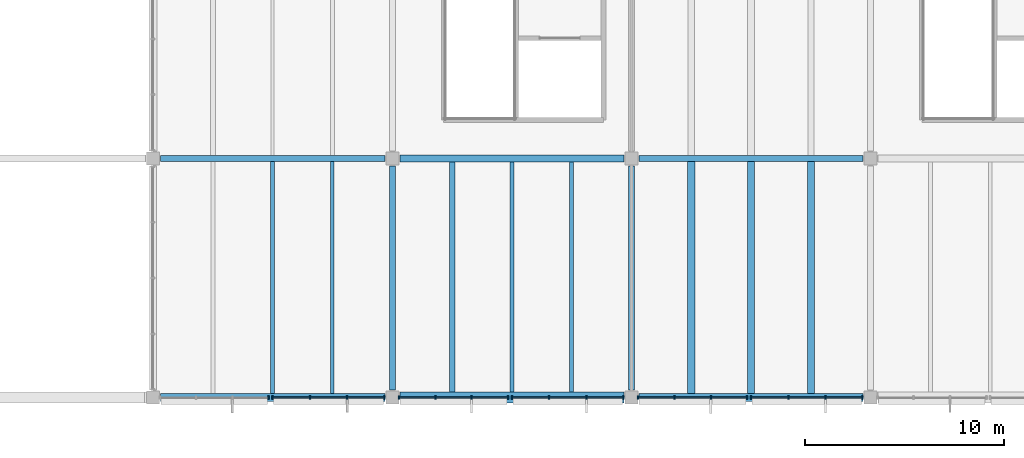
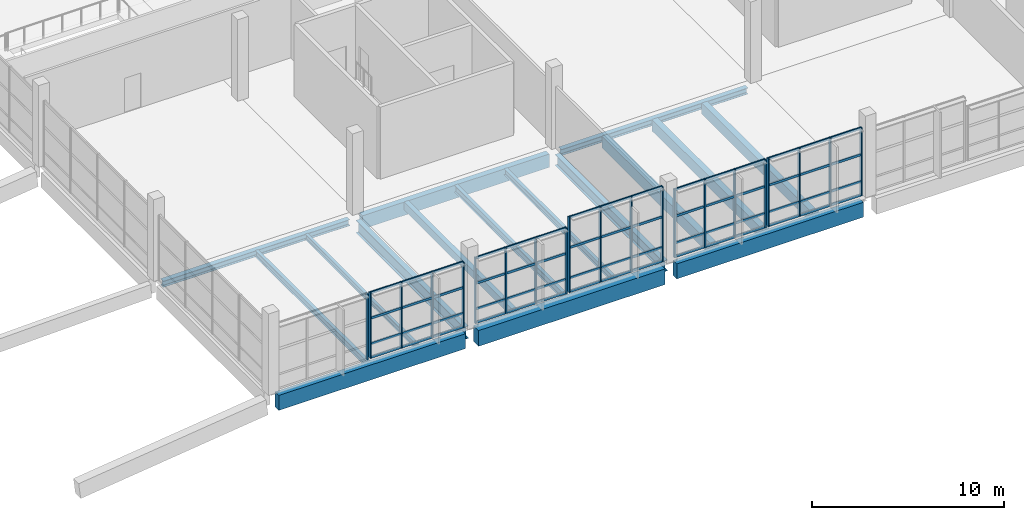
# One storey, part 21 of 112: 41 members, 16 beams, 6 elements without a shape of their own.
"""IFC4 building model written with IfcOpenShell, lengths in metres."""

import ifcopenshell
import ifcopenshell.guid

model = None  # the IFC model being written
_history = None  # IfcOwnerHistory: only IFC2X3 demands one
_inside = {}  # id of a spatial element -> (the spatial element, [elements in it])
_under = {}  # id of a project, library or spatial element -> (it, [spatial elements below it])
_declared = {}  # id of a project -> (the project, [libraries it declares])
_typed = {}  # id of a type object -> (the type object, [elements of that type])
_made_of = {}  # id of a material, layer set ... -> (it, [elements and type objects made of it])


def new_model(schema):
    """Start an empty IFC model of exactly this schema.

    Asked for "IFC4X3", IfcOpenShell would pick the latest addendum, in which some entities
    have other attributes; the version numbers below select the first issue.
    IFC2X3 requires an IfcOwnerHistory on every rooted entity: one is made here for all.
    """
    global model, _history
    if schema == "IFC4X3":
        model = ifcopenshell.file(schema_version=(4, 3, 0, 0))
    else:
        model = ifcopenshell.file(schema=schema)
    _inside.clear()
    _under.clear()
    _declared.clear()
    _typed.clear()
    _made_of.clear()
    _history = None
    if model.schema == "IFC2X3":
        org = make("IfcOrganization", Name="unknown")
        user = make(
            "IfcPersonAndOrganization",
            ThePerson=make("IfcPerson", FamilyName="unknown"),
            TheOrganization=org,
        )
        app = make(
            "IfcApplication",
            ApplicationDeveloper=org,
            Version="unknown",
            ApplicationFullName="unknown",
            ApplicationIdentifier="unknown",
        )
        _history = make(
            "IfcOwnerHistory",
            OwningUser=user,
            OwningApplication=app,
            ChangeAction="ADDED",
            CreationDate=0,
        )
    return model


def make(cls, **values):
    """One entity of the class cls with the attributes given. An attribute that is None is left unset."""
    return model.create_entity(
        cls, **{name: value for name, value in values.items() if value is not None}
    )


def rooted(cls, **values):
    """An entity with a GlobalId (a new one), such as an element, a storey or a relation."""
    return make(cls, GlobalId=ifcopenshell.guid.new(), OwnerHistory=_history, **values)


def si_unit(unit_type, name, prefix=None):
    """IfcSIUnit, for example si_unit("LENGTHUNIT", "METRE", prefix="MILLI")."""
    return make("IfcSIUnit", UnitType=unit_type, Prefix=prefix, Name=name)


def assignment(units):
    """IfcUnitAssignment: the units of a project."""
    return None if units is None else make("IfcUnitAssignment", Units=units)


def point(xyz):
    """IfcCartesianPoint."""
    return None if xyz is None else make("IfcCartesianPoint", Coordinates=xyz)


def direction(xyz):
    """IfcDirection."""
    return None if xyz is None else make("IfcDirection", DirectionRatios=xyz)


def frame(location, z_axis=None, x_axis=None):
    """IfcAxis2Placement3D, a coordinate frame: its origin and axes. An axis left out is left unset."""
    return make(
        "IfcAxis2Placement3D",
        Location=point(location),
        Axis=direction(z_axis),
        RefDirection=direction(x_axis),
    )


def frame_2d(location, x_axis=None):
    """IfcAxis2Placement2D, a coordinate frame in the plane: its origin and x axis."""
    return make(
        "IfcAxis2Placement2D", Location=point(location), RefDirection=direction(x_axis)
    )


def origin():
    """The frame at (0, 0, 0) with its axes left unset."""
    return frame((0.0, 0.0, 0.0))


def origin_2d():
    """The frame at (0, 0) in the plane with its x axis left unset."""
    return frame_2d((0.0, 0.0))


def place(relative_to, where):
    """IfcLocalPlacement: puts the frame where relative to a parent placement (None: the world)."""
    return make(
        "IfcLocalPlacement", PlacementRelTo=relative_to, RelativePlacement=where
    )


def context(
    kind, dimensions, precision=None, world=None, true_north=None, identifier=None
):
    """IfcGeometricRepresentationContext, for example the 3D "Model" context."""
    return make(
        "IfcGeometricRepresentationContext",
        ContextIdentifier=identifier,
        ContextType=kind,
        CoordinateSpaceDimension=dimensions,
        Precision=precision,
        WorldCoordinateSystem=world,
        TrueNorth=true_north,
    )


def subcontext(parent, identifier, kind, view, scale=None):
    """IfcGeometricRepresentationSubContext, for example "Body" below "Model"."""
    return make(
        "IfcGeometricRepresentationSubContext",
        ContextIdentifier=identifier,
        ContextType=kind,
        ParentContext=parent,
        TargetScale=scale,
        TargetView=view,
    )


def project(units=None, contexts=None):
    """IfcProject with its units and contexts."""
    return rooted(
        "IfcProject",
        Name="project",
        RepresentationContexts=contexts,
        UnitsInContext=assignment(units),
    )


def spatial(cls, under=None, at=None, **own):
    """A site, building, storey or space (cls), placed at a placement, below another one or the project."""
    s = rooted(cls, ObjectPlacement=at, **own)
    if under is not None:
        _under.setdefault(under.id(), (under, []))[1].append(s)
    return s


def profile(cls, at=None, kind="AREA", **sizes):
    """A parametric profile (cls). Its sizes go by their IFC names, for example OverallWidth=200.0."""
    return make(cls, ProfileType=kind, Position=at, **sizes)


def rectangle(**sizes):
    """IfcRectangleProfileDef."""
    return profile("IfcRectangleProfileDef", **sizes)


def i_section(**sizes):
    """IfcIShapeProfileDef."""
    return profile("IfcIShapeProfileDef", **sizes)


def extrude(swept, where, along, depth):
    """IfcExtrudedAreaSolid: the profile swept, set in the frame where, extruded along a direction by depth."""
    return make(
        "IfcExtrudedAreaSolid",
        SweptArea=swept,
        Position=where,
        ExtrudedDirection=direction(along),
        Depth=depth,
    )


def shape(context_of_items, identifier, shape_type, items):
    """IfcShapeRepresentation: the items that make up one representation, for example the "Body"."""
    return make(
        "IfcShapeRepresentation",
        ContextOfItems=context_of_items,
        RepresentationIdentifier=identifier,
        RepresentationType=shape_type,
        Items=items,
    )


def material(Name=None, Category=None):
    """IfcMaterial."""
    return make("IfcMaterial", Name=Name, Category=Category)


def material_profile(
    of_material, cross_section, Name=None, Category=None, Priority=None
):
    """IfcMaterialProfile: a cross section and its material."""
    return make(
        "IfcMaterialProfile",
        Name=Name,
        Material=of_material,
        Profile=cross_section,
        Priority=Priority,
        Category=Category,
    )


def profile_set(profiles, Name=None, composite=None):
    """IfcMaterialProfileSet."""
    return make(
        "IfcMaterialProfileSet",
        Name=Name,
        MaterialProfiles=profiles,
        CompositeProfile=composite,
    )


def made_of(thing, what):
    """Note that an element or type object is made of a material, layer set ...; save() writes the relation."""
    if what is not None:
        _made_of.setdefault(what.id(), (what, []))[1].append(thing)
    return thing


def type_object(cls, material=None, **own):
    """A type object (cls), such as IfcWallType, which elements share."""
    return made_of(rooted(cls, **own), material)


def element(
    cls,
    number,
    at=None,
    inside=None,
    cuts=None,
    type_object=None,
    material=None,
    context=None,
    identifier="Body",
    shape_type=None,
    held_by="IfcProductDefinitionShape",
    body=None,
    shapes=None,
    **own,
):
    """One element of the class cls, such as IfcWall. Its Tag is "e" and its number.

    at: its placement. inside: the storey or other place that contains it. cuts: it is an
    opening in that element (IfcRelVoidsElement). A single representation is given by context,
    identifier, shape_type and body (its items); several are given by shapes. held_by: the class
    of the entity that holds the representations. save() writes the other relations.
    """
    e = rooted(cls, Tag="e%d" % number, ObjectPlacement=at, **own)
    if body is not None:
        shapes = [shape(context, identifier, shape_type, body)]
    if shapes is not None:
        e.Representation = make(held_by, Representations=shapes)
    if inside is not None:
        _inside.setdefault(inside.id(), (inside, []))[1].append(e)
    if cuts is not None:
        rooted(
            "IfcRelVoidsElement", RelatingBuildingElement=cuts, RelatedOpeningElement=e
        )
    if type_object is not None:
        _typed.setdefault(type_object.id(), (type_object, []))[1].append(e)
    return made_of(e, material)


def aggregate(whole, parts):
    """IfcRelAggregates: a whole, such as a stair, and the parts it consists of."""
    return rooted("IfcRelAggregates", RelatingObject=whole, RelatedObjects=parts)


def save(model, path):
    """Write the relations noted so far, then the file.

    IfcRelAggregates (storeys below a building ...), IfcRelContainedInSpatialStructure (elements
    in a storey), IfcRelDefinesByType, IfcRelAssociatesMaterial and IfcRelDeclares: one each for
    every whole, place, type object, material and project.
    """
    for whole, parts in _under.values():
        aggregate(whole, parts)
    for where, things in _inside.values():
        rooted(
            "IfcRelContainedInSpatialStructure",
            RelatedElements=things,
            RelatingStructure=where,
        )
    for kind, things in _typed.values():
        rooted("IfcRelDefinesByType", RelatedObjects=things, RelatingType=kind)
    for what, things in _made_of.values():
        rooted("IfcRelAssociatesMaterial", RelatedObjects=things, RelatingMaterial=what)
    for by, libraries in _declared.values():
        rooted("IfcRelDeclares", RelatingContext=by, RelatedDefinitions=libraries)
    model.write(path)


model = new_model("IFC4")

# Units and contexts
model_context = context("Model", 3, precision=1e-05, world=origin(), true_north=direction((0.0, 1.0)))
body_context = subcontext(model_context, "Body", "Model", "MODEL_VIEW")
ifc_project = project(units=[si_unit("LENGTHUNIT", "METRE"), si_unit("AREAUNIT", "SQUARE_METRE"), si_unit("VOLUMEUNIT", "CUBIC_METRE"), si_unit("PLANEANGLEUNIT", "RADIAN"), si_unit("MASSUNIT", "GRAM", prefix="KILO")], contexts=[model_context])

# Site, building, storey
site_placement = place(None, origin())
site = spatial("IfcSite", under=ifc_project, at=site_placement, CompositionType="ELEMENT")
building_placement = place(site_placement, origin())
building = spatial("IfcBuilding", under=site, at=building_placement, Name="Kamomehara Wholesale Market", CompositionType="ELEMENT")
storey_placement = place(building_placement, frame((0.0, 0.0, 6.60009765625)))
storey = spatial("IfcBuildingStorey", under=building, at=storey_placement, Name="L01", CompositionType="ELEMENT", Elevation=6.60009765625)

# Beams
ifc_material_1 = material(Name="Precast concrete Fc45 (C40/50)", Category="concrete")
ifc_material_profile_1 = material_profile(ifc_material_1, rectangle(XDim=0.280029296875, YDim=0.5, at=origin_2d()), Name="PC-JST-280x500")
ifc_profile_set_1 = profile_set([ifc_material_profile_1], Name="Precast concrete Fc45 (C40/50)")
beam_type_1 = type_object("IfcBeamType", Name="BM-PJ500", PredefinedType="JOIST", material=ifc_profile_set_1)
beam_1_placement = place(storey_placement, frame((75.0, 12.27490234375, -0.58203125), z_axis=(0.0, 1.0, 0.0), x_axis=(-1.0, 0.0, 0.0)))
element("IfcBeam", 1, at=beam_1_placement, inside=storey, type_object=beam_type_1, Name="Beam PJ-11 L01", PredefinedType="JOIST", context=body_context, shape_type="SweptSolid", body=[
    extrude(rectangle(XDim=0.280029296875, YDim=0.5, at=origin_2d()), origin(), (0.0, 0.0, 1.0), 11.550048828125),
])
ifc_material_2 = material(Name="Precast concrete Fc45 (C40/50)", Category="concrete")
ifc_material_profile_2 = material_profile(ifc_material_2, rectangle(XDim=0.35009765625, YDim=0.699951171875, at=origin_2d()), Name="PC-JST-350x700")
ifc_profile_set_2 = profile_set([ifc_material_profile_2], Name="Precast concrete Fc45 (C40/50)")
beam_type_2 = type_object("IfcBeamType", Name="BM-PJ700", PredefinedType="JOIST", material=ifc_profile_set_2)
beam_2_placement = place(storey_placement, frame((93.0, 12.199951171875, -0.68212890625), z_axis=(0.0, 1.0, 0.0), x_axis=(-1.0, 0.0, 0.0)))
element("IfcBeam", 2, at=beam_2_placement, inside=storey, type_object=beam_type_2, Name="Beam PJ-03 L01", PredefinedType="JOIST", context=body_context, shape_type="SweptSolid", body=[
    extrude(rectangle(XDim=0.35009765625, YDim=0.699951171875, at=origin_2d()), origin(), (0.0, 0.0, 1.0), 11.650146484375),
])
ifc_material_3 = material(Name="Precast concrete Fc45 (C40/50)", Category="concrete")
ifc_material_profile_3 = material_profile(ifc_material_3, rectangle(XDim=0.360107421875, YDim=0.719970703125, at=origin_2d()), Name="PC-JST-360x720")
ifc_profile_set_3 = profile_set([ifc_material_profile_3], Name="Precast concrete Fc45 (C40/50)")
beam_type_3 = type_object("IfcBeamType", Name="BM-PJ720", PredefinedType="JOIST", material=ifc_profile_set_3)
beam_3_placement = place(storey_placement, frame((90.0, 12.199951171875, -0.692138671875), z_axis=(0.0, 1.0, 0.0), x_axis=(-1.0, 0.0, 0.0)))
element("IfcBeam", 3, at=beam_3_placement, inside=storey, type_object=beam_type_3, Name="Beam PJ-08 L01", PredefinedType="JOIST", context=body_context, shape_type="SweptSolid", body=[
    extrude(rectangle(XDim=0.360107421875, YDim=0.719970703125, at=origin_2d()), origin(), (0.0, 0.0, 1.0), 11.650146484375),
])
ifc_material_4 = material(Name="Precast concrete Fc45 (C40/50)", Category="concrete")
ifc_material_profile_4 = material_profile(ifc_material_4, rectangle(XDim=0.3798828125, YDim=0.75, at=origin_2d()), Name="PC-JST-380x750")
ifc_profile_set_4 = profile_set([ifc_material_profile_4], Name="Precast concrete Fc45 (C40/50)")
beam_type_4 = type_object("IfcBeamType", Name="BM-PJ750", PredefinedType="JOIST", material=ifc_profile_set_4)
beam_4_placement = place(storey_placement, frame((87.0, 12.199951171875, -0.70703125), z_axis=(0.0, 1.0, 0.0), x_axis=(-1.0, 0.0, 0.0)))
element("IfcBeam", 4, at=beam_4_placement, inside=storey, type_object=beam_type_4, Name="Beam PJ-02 L01", PredefinedType="JOIST", context=body_context, shape_type="SweptSolid", body=[
    extrude(rectangle(XDim=0.3798828125, YDim=0.75, at=origin_2d()), origin(), (0.0, 0.0, 1.0), 11.650146484375),
])
ifc_material_5 = material(Name="Concrete Fc36 (C35/45)", Category="concrete")
ifc_material_profile_5 = material_profile(ifc_material_5, rectangle(XDim=0.550048828125, YDim=1.0, at=origin_2d()), Name="RC-SEB-550x1000")
ifc_profile_set_5 = profile_set([ifc_material_profile_5], Name="Concrete Fc36 (C35/45)")
beam_type_5 = type_object("IfcBeamType", Name="BM-SEB1000-EXT", PredefinedType="SPANDREL", material=ifc_profile_set_5)
beam_5_placement = place(storey_placement, frame((72.375, 12.0, -0.83203125), z_axis=(1.0, 0.0, 0.0), x_axis=(0.0, 1.0, 0.0)))
element("IfcBeam", 5, at=beam_5_placement, inside=storey, type_object=beam_type_5, Name="Beam SEB-03E L01", PredefinedType="SPANDREL", context=body_context, shape_type="SweptSolid", body=[
    extrude(rectangle(XDim=0.550048828125, YDim=1.0, at=origin_2d()), origin(), (0.0, 0.0, 1.0), 11.25),
])
ifc_material_6 = material(Name="Precast concrete Fc45 (C40/50)", Category="concrete")
ifc_material_profile_6 = material_profile(ifc_material_6, rectangle(XDim=0.35009765625, YDim=0.85009765625, at=origin_2d()), Name="PC-SPN-350x850")
ifc_profile_set_6 = profile_set([ifc_material_profile_6], Name="Precast concrete Fc45 (C40/50)")
beam_type_6 = type_object("IfcBeamType", Name="BM-SPN850-EXT", PredefinedType="SPANDREL", material=ifc_profile_set_6)
beam_6_placement = place(storey_placement, frame((72.375, 24.0, -0.777099609375), z_axis=(1.0, 0.0, 0.0), x_axis=(0.0, 1.0, 0.0)))
element("IfcBeam", 6, at=beam_6_placement, inside=storey, type_object=beam_type_6, Name="Beam SPN-02E L01", PredefinedType="SPANDREL", context=body_context, shape_type="SweptSolid", body=[
    extrude(rectangle(XDim=0.35009765625, YDim=0.85009765625, at=origin_2d()), origin(), (0.0, 0.0, 1.0), 11.25),
])
ifc_material_7 = material(Name="Precast concrete Fc45 (C40/50)", Category="concrete")
ifc_material_profile_7 = material_profile(ifc_material_7, rectangle(XDim=0.39990234375, YDim=0.949951171875, at=origin_2d()), Name="PC-SPN-400x950")
ifc_profile_set_7 = profile_set([ifc_material_profile_7], Name="Precast concrete Fc45 (C40/50)")
beam_type_7 = type_object("IfcBeamType", Name="BM-SPN950-EXT", PredefinedType="SPANDREL", material=ifc_profile_set_7)
for number, where, z_axis, x_axis, name in (
    (7, (60.375, 12.0, -0.787109375), (1.0, 0.0, 0.0), (0.0, 1.0, 0.0), "Beam SPN-01E L01"),
    (8, (84.375, 12.0, -0.80712890625), (1.0, 0.0, 0.0), (0.0, 1.0, 0.0), "Beam SPN-01E L01"),
):
    element("IfcBeam", number, at=place(storey_placement, frame(where, z_axis=z_axis, x_axis=x_axis)), inside=storey, type_object=beam_type_7, Name=name, PredefinedType="SPANDREL", context=body_context, shape_type="SweptSolid", body=[
        extrude(rectangle(XDim=0.39990234375, YDim=0.949951171875, at=origin_2d()), origin(), (0.0, 0.0, 1.0), 11.25),
    ])
ifc_material_8 = material(Name="Steel SN400B", Category="steel")
ifc_material_profile_8 = material_profile(ifc_material_8, i_section(OverallWidth=0.175048828125, OverallDepth=0.35009765625, WebThickness=0.007080078125, FlangeThickness=0.010986328125, FilletRadius=0.012939453125, at=origin_2d()), Name="H-350x175x7x11")
ifc_profile_set_8 = profile_set([ifc_material_profile_8], Name="Steel SN400B")
beam_type_8 = type_object("IfcBeamType", Name="BM-ST-H350", PredefinedType="JOIST", material=ifc_profile_set_8)
beam_7_placement = place(storey_placement, frame((69.0, 12.199951171875, -0.487060546875), z_axis=(0.0, 1.0, 0.0), x_axis=(-1.0, 0.0, 0.0)))
element("IfcBeam", 9, at=beam_7_placement, inside=storey, type_object=beam_type_8, Name="Beam SJ-04 L01", PredefinedType="JOIST", context=body_context, shape_type="SweptSolid", body=[
    extrude(i_section(OverallWidth=0.175048828125, OverallDepth=0.35009765625, WebThickness=0.007080078125, FlangeThickness=0.010986328125, FilletRadius=0.012939453125, at=origin_2d()), origin(), (0.0, 0.0, 1.0), 11.650146484375),
])
ifc_material_9 = material(Name="Steel SN490B", Category="steel")
ifc_material_profile_9 = material_profile(ifc_material_9, i_section(OverallWidth=0.300048828125, OverallDepth=0.389892578125, WebThickness=0.010009765625, FlangeThickness=0.01611328125, FilletRadius=0.01806640625, at=origin_2d()), Name="H-390x300x10x16")
ifc_profile_set_9 = profile_set([ifc_material_profile_9], Name="Steel SN490B")
beam_type_9 = type_object("IfcBeamType", Name="BM-ST-H390-EXT", PredefinedType="SPANDREL", material=ifc_profile_set_9)
for number, where, z_axis, x_axis, name in (
    (10, (60.375, 24.0, -0.537109375), (1.0, 0.0, 0.0), (0.0, 1.0, 0.0), "Beam SJ-03E L01"),
    (11, (84.375, 24.0, -0.547119140625), (1.0, 0.0, 0.0), (0.0, 1.0, 0.0), "Beam SJ-03E L01"),
):
    element("IfcBeam", number, at=place(storey_placement, frame(where, z_axis=z_axis, x_axis=x_axis)), inside=storey, type_object=beam_type_9, Name=name, PredefinedType="SPANDREL", context=body_context, shape_type="SweptSolid", body=[
        extrude(i_section(OverallWidth=0.300048828125, OverallDepth=0.389892578125, WebThickness=0.010009765625, FlangeThickness=0.01611328125, FilletRadius=0.01806640625, at=origin_2d()), origin(), (0.0, 0.0, 1.0), 11.25),
    ])
ifc_material_10 = material(Name="Steel SN400B", Category="steel")
ifc_material_profile_10 = material_profile(ifc_material_10, i_section(OverallWidth=0.199951171875, OverallDepth=0.39990234375, WebThickness=0.008056640625, FlangeThickness=0.012939453125, FilletRadius=0.012939453125, at=origin_2d()), Name="H-400x200x8x13")
ifc_profile_set_10 = profile_set([ifc_material_profile_10], Name="Steel SN400B")
beam_type_10 = type_object("IfcBeamType", Name="BM-ST-H400", PredefinedType="JOIST", material=ifc_profile_set_10)
beam_8_placement = place(storey_placement, frame((66.0, 12.199951171875, -0.51220703125), z_axis=(0.0, 1.0, 0.0), x_axis=(-1.0, 0.0, 0.0)))
element("IfcBeam", 12, at=beam_8_placement, inside=storey, type_object=beam_type_10, Name="Beam SJ-02 L01", PredefinedType="JOIST", context=body_context, shape_type="SweptSolid", body=[
    extrude(i_section(OverallWidth=0.199951171875, OverallDepth=0.39990234375, WebThickness=0.008056640625, FlangeThickness=0.012939453125, FilletRadius=0.012939453125, at=origin_2d()), origin(), (0.0, 0.0, 1.0), 11.650146484375),
])
beam_9_placement = place(storey_placement, frame((81.0, 12.27490234375, -0.531982421875), z_axis=(0.0, 1.0, 0.0), x_axis=(-1.0, 0.0, 0.0)))
element("IfcBeam", 13, at=beam_9_placement, inside=storey, type_object=beam_type_10, Name="Beam SJ-02 L01", PredefinedType="JOIST", context=body_context, shape_type="SweptSolid", body=[
    extrude(i_section(OverallWidth=0.199951171875, OverallDepth=0.39990234375, WebThickness=0.008056640625, FlangeThickness=0.012939453125, FilletRadius=0.012939453125, at=origin_2d()), origin(), (0.0, 0.0, 1.0), 11.550048828125),
])
ifc_material_11 = material(Name="Steel SN400B", Category="steel")
ifc_material_profile_11 = material_profile(ifc_material_11, i_section(OverallWidth=0.199951171875, OverallDepth=0.449951171875, WebThickness=0.009033203125, FlangeThickness=0.013916015625, FilletRadius=0.012939453125, at=origin_2d()), Name="H-450x200x9x14")
ifc_profile_set_11 = profile_set([ifc_material_profile_11], Name="Steel SN400B")
beam_type_11 = type_object("IfcBeamType", Name="BM-ST-H450", PredefinedType="JOIST", material=ifc_profile_set_11)
beam_10_placement = place(storey_placement, frame((78.0, 12.27490234375, -0.55712890625), z_axis=(0.0, 1.0, 0.0), x_axis=(-1.0, 0.0, 0.0)))
element("IfcBeam", 14, at=beam_10_placement, inside=storey, type_object=beam_type_11, Name="Beam SJ-01 L01", PredefinedType="JOIST", context=body_context, shape_type="SweptSolid", body=[
    extrude(i_section(OverallWidth=0.199951171875, OverallDepth=0.449951171875, WebThickness=0.009033203125, FlangeThickness=0.013916015625, FilletRadius=0.012939453125, at=origin_2d()), origin(), (0.0, 0.0, 1.0), 11.550048828125),
])
ifc_material_12 = material(Name="Steel SN490B", Category="steel")
ifc_material_profile_12 = material_profile(ifc_material_12, i_section(OverallWidth=0.300048828125, OverallDepth=0.699951171875, WebThickness=0.012939453125, FlangeThickness=0.02392578125, FilletRadius=0.02197265625, at=origin_2d()), Name="H-700x300x13x24")
ifc_profile_set_12 = profile_set([ifc_material_profile_12], Name="Steel SN490B")
beam_type_12 = type_object("IfcBeamType", Name="BM-ST-H700", PredefinedType="BEAM", material=ifc_profile_set_12)
beam_11_placement = place(storey_placement, frame((84.0, 12.375, -0.68212890625), z_axis=(0.0, 1.0, 0.0), x_axis=(-1.0, 0.0, 0.0)))
element("IfcBeam", 15, at=beam_11_placement, inside=storey, type_object=beam_type_12, Name="Beam SG-03 L01", PredefinedType="BEAM", context=body_context, shape_type="SweptSolid", body=[
    extrude(i_section(OverallWidth=0.300048828125, OverallDepth=0.699951171875, WebThickness=0.012939453125, FlangeThickness=0.02392578125, FilletRadius=0.02197265625, at=origin_2d()), origin(), (0.0, 0.0, 1.0), 11.25),
])
ifc_material_13 = material(Name="Steel SN490B", Category="steel")
ifc_material_profile_13 = material_profile(ifc_material_13, i_section(OverallWidth=0.300048828125, OverallDepth=0.800048828125, WebThickness=0.013916015625, FlangeThickness=0.02587890625, FilletRadius=0.02392578125, at=origin_2d()), Name="H-800x300x14x26")
ifc_profile_set_13 = profile_set([ifc_material_profile_13], Name="Steel SN490B")
beam_type_13 = type_object("IfcBeamType", Name="BM-ST-H800", PredefinedType="BEAM", material=ifc_profile_set_13)
beam_12_placement = place(storey_placement, frame((72.0, 12.375, -0.732177734375), z_axis=(0.0, 1.0, 0.0), x_axis=(-1.0, 0.0, 0.0)))
element("IfcBeam", 16, at=beam_12_placement, inside=storey, type_object=beam_type_13, Name="Beam SG-02 L01", PredefinedType="BEAM", context=body_context, shape_type="SweptSolid", body=[
    extrude(i_section(OverallWidth=0.300048828125, OverallDepth=0.800048828125, WebThickness=0.013916015625, FlangeThickness=0.02587890625, FilletRadius=0.02392578125, at=origin_2d()), origin(), (0.0, 0.0, 1.0), 11.25),
])

# Curtain wall, members
ifc_material_14 = material(Name="Anodised aluminium 6063-T5", Category="aluminium")
curtain_wall_type = type_object("IfcCurtainWallType", Name="CW-UN-01", PredefinedType="NOTDEFINED", material=ifc_material_14)
curtain_wall_1_placement = place(storey_placement, origin())
curtain_wall_1 = element("IfcCurtainWall", 17, at=curtain_wall_1_placement, inside=storey, type_object=curtain_wall_type, Name="Unitised curtain wall CW-121", PredefinedType="NOTDEFINED")
ifc_material_15 = material(Name="Anodised aluminium 6063-T5", Category="aluminium")
ifc_material_profile_14 = material_profile(ifc_material_15, rectangle(XDim=0.074951171875, YDim=0.179931640625, at=origin_2d()), Name="ALU-MUL-75x180")
ifc_profile_set_14 = profile_set([ifc_material_profile_14], Name="Anodised aluminium 6063-T5")
member_type_1 = type_object("IfcMemberType", Name="CW-MUL-180", PredefinedType="MULLION", material=ifc_profile_set_14)
member_1_placement = place(storey_placement, frame((71.60009765625, 12.0, 0.0), z_axis=(0.0, 0.0, 1.0), x_axis=(-1.0, 0.0, 0.0)))
member_1 = element("IfcMember", 18, at=member_1_placement, type_object=member_type_1, Name="Mullion CW-121.0", PredefinedType="MULLION", context=body_context, shape_type="SweptSolid", body=[
    extrude(rectangle(XDim=0.074951171875, YDim=0.179931640625, at=origin_2d()), origin(), (0.0, 0.0, 1.0), 4.179931640625),
])
member_2_placement = place(storey_placement, frame((69.73291015625, 12.0, 0.0), z_axis=(0.0, 0.0, 1.0), x_axis=(-1.0, 0.0, 0.0)))
member_2 = element("IfcMember", 19, at=member_2_placement, type_object=member_type_1, Name="Mullion CW-121.1", PredefinedType="MULLION", context=body_context, shape_type="SweptSolid", body=[
    extrude(rectangle(XDim=0.074951171875, YDim=0.179931640625, at=origin_2d()), origin(), (0.0, 0.0, 1.0), 4.179931640625),
])
member_3_placement = place(storey_placement, frame((67.866943359375, 12.0, 0.0), z_axis=(0.0, 0.0, 1.0), x_axis=(-1.0, 0.0, 0.0)))
member_3 = element("IfcMember", 20, at=member_3_placement, type_object=member_type_1, Name="Mullion CW-121.2", PredefinedType="MULLION", context=body_context, shape_type="SweptSolid", body=[
    extrude(rectangle(XDim=0.074951171875, YDim=0.179931640625, at=origin_2d()), origin(), (0.0, 0.0, 1.0), 4.179931640625),
])
member_4_placement = place(storey_placement, frame((66.0, 12.0, 0.0), z_axis=(0.0, 0.0, 1.0), x_axis=(-1.0, 0.0, 0.0)))
member_4 = element("IfcMember", 21, at=member_4_placement, type_object=member_type_1, Name="Mullion CW-121.3", PredefinedType="MULLION", context=body_context, shape_type="SweptSolid", body=[
    extrude(rectangle(XDim=0.074951171875, YDim=0.179931640625, at=origin_2d()), origin(), (0.0, 0.0, 1.0), 4.179931640625),
])

# Curtain wall, member
curtain_wall_2_placement = place(storey_placement, origin())
curtain_wall_2 = element("IfcCurtainWall", 22, at=curtain_wall_2_placement, inside=storey, type_object=curtain_wall_type, Name="Unitised curtain wall CW-122", PredefinedType="NOTDEFINED")
member_5_placement = place(storey_placement, frame((65.800048828125, 12.0, 0.0), z_axis=(0.0, 0.0, 1.0), x_axis=(-1.0, 0.0, 0.0)))
member_5 = element("IfcMember", 23, at=member_5_placement, type_object=member_type_1, Name="Mullion CW-122.0", PredefinedType="MULLION", context=body_context, shape_type="SweptSolid", body=[
    extrude(rectangle(XDim=0.074951171875, YDim=0.179931640625, at=origin_2d()), origin(), (0.0, 0.0, 1.0), 4.179931640625),
])
aggregate(curtain_wall_2, [member_5])

# Curtain wall, members
curtain_wall_3_placement = place(storey_placement, origin())
curtain_wall_3 = element("IfcCurtainWall", 24, at=curtain_wall_3_placement, inside=storey, type_object=curtain_wall_type, Name="Unitised curtain wall CW-123", PredefinedType="NOTDEFINED")
member_6_placement = place(storey_placement, frame((83.60009765625, 12.0, 0.0), z_axis=(0.0, 0.0, 1.0), x_axis=(-1.0, 0.0, 0.0)))
member_6 = element("IfcMember", 25, at=member_6_placement, type_object=member_type_1, Name="Mullion CW-123.0", PredefinedType="MULLION", context=body_context, shape_type="SweptSolid", body=[
    extrude(rectangle(XDim=0.074951171875, YDim=0.179931640625, at=origin_2d()), origin(), (0.0, 0.0, 1.0), 4.789794921875),
])
member_7_placement = place(storey_placement, frame((81.73291015625, 12.0, 0.0), z_axis=(0.0, 0.0, 1.0), x_axis=(-1.0, 0.0, 0.0)))
member_7 = element("IfcMember", 26, at=member_7_placement, type_object=member_type_1, Name="Mullion CW-123.1", PredefinedType="MULLION", context=body_context, shape_type="SweptSolid", body=[
    extrude(rectangle(XDim=0.074951171875, YDim=0.179931640625, at=origin_2d()), origin(), (0.0, 0.0, 1.0), 4.789794921875),
])
member_8_placement = place(storey_placement, frame((79.866943359375, 12.0, 0.0), z_axis=(0.0, 0.0, 1.0), x_axis=(-1.0, 0.0, 0.0)))
member_8 = element("IfcMember", 27, at=member_8_placement, type_object=member_type_1, Name="Mullion CW-123.2", PredefinedType="MULLION", context=body_context, shape_type="SweptSolid", body=[
    extrude(rectangle(XDim=0.074951171875, YDim=0.179931640625, at=origin_2d()), origin(), (0.0, 0.0, 1.0), 4.789794921875),
])
member_9_placement = place(storey_placement, frame((78.0, 12.0, 0.0), z_axis=(0.0, 0.0, 1.0), x_axis=(-1.0, 0.0, 0.0)))
member_9 = element("IfcMember", 28, at=member_9_placement, type_object=member_type_1, Name="Mullion CW-123.3", PredefinedType="MULLION", context=body_context, shape_type="SweptSolid", body=[
    extrude(rectangle(XDim=0.074951171875, YDim=0.179931640625, at=origin_2d()), origin(), (0.0, 0.0, 1.0), 4.789794921875),
])

curtain_wall_4_placement = place(storey_placement, origin())
curtain_wall_4 = element("IfcCurtainWall", 29, at=curtain_wall_4_placement, inside=storey, type_object=curtain_wall_type, Name="Unitised curtain wall CW-124", PredefinedType="NOTDEFINED")
member_10_placement = place(storey_placement, frame((77.800048828125, 12.0, 0.0), z_axis=(0.0, 0.0, 1.0), x_axis=(-1.0, 0.0, 0.0)))
member_10 = element("IfcMember", 30, at=member_10_placement, type_object=member_type_1, Name="Mullion CW-124.0", PredefinedType="MULLION", context=body_context, shape_type="SweptSolid", body=[
    extrude(rectangle(XDim=0.074951171875, YDim=0.179931640625, at=origin_2d()), origin(), (0.0, 0.0, 1.0), 4.179931640625),
])
member_11_placement = place(storey_placement, frame((75.97802734375, 12.0, 0.0), z_axis=(0.0, 0.0, 1.0), x_axis=(-1.0, 0.0, 0.0)))
member_11 = element("IfcMember", 31, at=member_11_placement, type_object=member_type_1, Name="Mullion CW-124.1", PredefinedType="MULLION", context=body_context, shape_type="SweptSolid", body=[
    extrude(rectangle(XDim=0.074951171875, YDim=0.179931640625, at=origin_2d()), origin(), (0.0, 0.0, 1.0), 4.179931640625),
])
member_12_placement = place(storey_placement, frame((74.156982421875, 12.0, 0.0), z_axis=(0.0, 0.0, 1.0), x_axis=(-1.0, 0.0, 0.0)))
member_12 = element("IfcMember", 32, at=member_12_placement, type_object=member_type_1, Name="Mullion CW-124.2", PredefinedType="MULLION", context=body_context, shape_type="SweptSolid", body=[
    extrude(rectangle(XDim=0.074951171875, YDim=0.179931640625, at=origin_2d()), origin(), (0.0, 0.0, 1.0), 4.179931640625),
])
member_13_placement = place(storey_placement, frame((72.3349609375, 12.0, 0.0), z_axis=(0.0, 0.0, 1.0), x_axis=(-1.0, 0.0, 0.0)))
member_13 = element("IfcMember", 33, at=member_13_placement, type_object=member_type_1, Name="Mullion CW-124.3", PredefinedType="MULLION", context=body_context, shape_type="SweptSolid", body=[
    extrude(rectangle(XDim=0.074951171875, YDim=0.179931640625, at=origin_2d()), origin(), (0.0, 0.0, 1.0), 4.179931640625),
])

curtain_wall_5_placement = place(storey_placement, origin())
curtain_wall_5 = element("IfcCurtainWall", 34, at=curtain_wall_5_placement, inside=storey, type_object=curtain_wall_type, Name="Unitised curtain wall CW-125", PredefinedType="NOTDEFINED")
member_14_placement = place(storey_placement, frame((95.60009765625, 12.0, 0.0), z_axis=(0.0, 0.0, 1.0), x_axis=(-1.0, 0.0, 0.0)))
member_14 = element("IfcMember", 35, at=member_14_placement, type_object=member_type_1, Name="Mullion CW-125.0", PredefinedType="MULLION", context=body_context, shape_type="SweptSolid", body=[
    extrude(rectangle(XDim=0.074951171875, YDim=0.179931640625, at=origin_2d()), origin(), (0.0, 0.0, 1.0), 4.329833984375),
])
member_15_placement = place(storey_placement, frame((93.73291015625, 12.0, 0.0), z_axis=(0.0, 0.0, 1.0), x_axis=(-1.0, 0.0, 0.0)))
member_15 = element("IfcMember", 36, at=member_15_placement, type_object=member_type_1, Name="Mullion CW-125.1", PredefinedType="MULLION", context=body_context, shape_type="SweptSolid", body=[
    extrude(rectangle(XDim=0.074951171875, YDim=0.179931640625, at=origin_2d()), origin(), (0.0, 0.0, 1.0), 4.329833984375),
])
member_16_placement = place(storey_placement, frame((91.866943359375, 12.0, 0.0), z_axis=(0.0, 0.0, 1.0), x_axis=(-1.0, 0.0, 0.0)))
member_16 = element("IfcMember", 37, at=member_16_placement, type_object=member_type_1, Name="Mullion CW-125.2", PredefinedType="MULLION", context=body_context, shape_type="SweptSolid", body=[
    extrude(rectangle(XDim=0.074951171875, YDim=0.179931640625, at=origin_2d()), origin(), (0.0, 0.0, 1.0), 4.329833984375),
])
member_17_placement = place(storey_placement, frame((90.0, 12.0, 0.0), z_axis=(0.0, 0.0, 1.0), x_axis=(-1.0, 0.0, 0.0)))
member_17 = element("IfcMember", 38, at=member_17_placement, type_object=member_type_1, Name="Mullion CW-125.3", PredefinedType="MULLION", context=body_context, shape_type="SweptSolid", body=[
    extrude(rectangle(XDim=0.074951171875, YDim=0.179931640625, at=origin_2d()), origin(), (0.0, 0.0, 1.0), 4.329833984375),
])

curtain_wall_6_placement = place(storey_placement, origin())
curtain_wall_6 = element("IfcCurtainWall", 39, at=curtain_wall_6_placement, inside=storey, type_object=curtain_wall_type, Name="Unitised curtain wall CW-126", PredefinedType="NOTDEFINED")
member_18_placement = place(storey_placement, frame((89.800048828125, 12.0, 0.0), z_axis=(0.0, 0.0, 1.0), x_axis=(-1.0, 0.0, 0.0)))
member_18 = element("IfcMember", 40, at=member_18_placement, type_object=member_type_1, Name="Mullion CW-126.0", PredefinedType="MULLION", context=body_context, shape_type="SweptSolid", body=[
    extrude(rectangle(XDim=0.074951171875, YDim=0.179931640625, at=origin_2d()), origin(), (0.0, 0.0, 1.0), 4.329833984375),
])
member_19_placement = place(storey_placement, frame((87.97802734375, 12.0, 0.0), z_axis=(0.0, 0.0, 1.0), x_axis=(-1.0, 0.0, 0.0)))
member_19 = element("IfcMember", 41, at=member_19_placement, type_object=member_type_1, Name="Mullion CW-126.1", PredefinedType="MULLION", context=body_context, shape_type="SweptSolid", body=[
    extrude(rectangle(XDim=0.074951171875, YDim=0.179931640625, at=origin_2d()), origin(), (0.0, 0.0, 1.0), 4.329833984375),
])
member_20_placement = place(storey_placement, frame((86.156982421875, 12.0, 0.0), z_axis=(0.0, 0.0, 1.0), x_axis=(-1.0, 0.0, 0.0)))
member_20 = element("IfcMember", 42, at=member_20_placement, type_object=member_type_1, Name="Mullion CW-126.2", PredefinedType="MULLION", context=body_context, shape_type="SweptSolid", body=[
    extrude(rectangle(XDim=0.074951171875, YDim=0.179931640625, at=origin_2d()), origin(), (0.0, 0.0, 1.0), 4.329833984375),
])
member_21_placement = place(storey_placement, frame((84.3349609375, 12.0, 0.0), z_axis=(0.0, 0.0, 1.0), x_axis=(-1.0, 0.0, 0.0)))
member_21 = element("IfcMember", 43, at=member_21_placement, type_object=member_type_1, Name="Mullion CW-126.3", PredefinedType="MULLION", context=body_context, shape_type="SweptSolid", body=[
    extrude(rectangle(XDim=0.074951171875, YDim=0.179931640625, at=origin_2d()), origin(), (0.0, 0.0, 1.0), 4.329833984375),
])

# Member
ifc_material_16 = material(Name="Anodised aluminium 6063-T5", Category="aluminium")
ifc_material_profile_15 = material_profile(ifc_material_16, rectangle(XDim=0.074951171875, YDim=0.14990234375, at=origin_2d()), Name="ALU-TRN-75x150")
ifc_profile_set_15 = profile_set([ifc_material_profile_15], Name="Anodised aluminium 6063-T5")
member_type_2 = type_object("IfcMemberType", Name="CW-TRN-150", PredefinedType="USERDEFINED", material=ifc_profile_set_15)
member_22_placement = place(storey_placement, frame((71.60009765625, 12.0, 0.039794921875), z_axis=(-1.0, 0.0, 0.0), x_axis=(0.0, -1.0, 0.0)))
member_22 = element("IfcMember", 44, at=member_22_placement, type_object=member_type_2, Name="Transom CW-121.0", ObjectType="TRANSOM", PredefinedType="USERDEFINED", context=body_context, shape_type="SweptSolid", body=[
    extrude(rectangle(XDim=0.074951171875, YDim=0.14990234375, at=origin_2d()), origin(), (0.0, 0.0, 1.0), 5.60009765625),
])

member_23_placement = place(storey_placement, frame((71.60009765625, 12.0, 0.89990234375), z_axis=(-1.0, 0.0, 0.0), x_axis=(0.0, -1.0, 0.0)))
member_23 = element("IfcMember", 45, at=member_23_placement, type_object=member_type_2, Name="Transom CW-121.1", ObjectType="TRANSOM", PredefinedType="USERDEFINED", context=body_context, shape_type="SweptSolid", body=[
    extrude(rectangle(XDim=0.074951171875, YDim=0.14990234375, at=origin_2d()), origin(), (0.0, 0.0, 1.0), 5.60009765625),
])

member_24_placement = place(storey_placement, frame((71.60009765625, 12.0, 2.539794921875), z_axis=(-1.0, 0.0, 0.0), x_axis=(0.0, -1.0, 0.0)))
member_24 = element("IfcMember", 46, at=member_24_placement, type_object=member_type_2, Name="Transom CW-121.2", ObjectType="TRANSOM", PredefinedType="USERDEFINED", context=body_context, shape_type="SweptSolid", body=[
    extrude(rectangle(XDim=0.074951171875, YDim=0.14990234375, at=origin_2d()), origin(), (0.0, 0.0, 1.0), 5.60009765625),
])

member_25_placement = place(storey_placement, frame((71.60009765625, 12.0, 4.139892578125), z_axis=(-1.0, 0.0, 0.0), x_axis=(0.0, -1.0, 0.0)))
member_25 = element("IfcMember", 47, at=member_25_placement, type_object=member_type_2, Name="Transom CW-121.3", ObjectType="TRANSOM", PredefinedType="USERDEFINED", context=body_context, shape_type="SweptSolid", body=[
    extrude(rectangle(XDim=0.074951171875, YDim=0.14990234375, at=origin_2d()), origin(), (0.0, 0.0, 1.0), 5.60009765625),
])

aggregate(curtain_wall_1, [member_1, member_2, member_3, member_4, member_22, member_23, member_24, member_25])

member_26_placement = place(storey_placement, frame((83.60009765625, 12.0, 0.039794921875), z_axis=(-1.0, 0.0, 0.0), x_axis=(0.0, -1.0, 0.0)))
member_26 = element("IfcMember", 48, at=member_26_placement, type_object=member_type_2, Name="Transom CW-123.0", ObjectType="TRANSOM", PredefinedType="USERDEFINED", context=body_context, shape_type="SweptSolid", body=[
    extrude(rectangle(XDim=0.074951171875, YDim=0.14990234375, at=origin_2d()), origin(), (0.0, 0.0, 1.0), 5.60009765625),
])

member_27_placement = place(storey_placement, frame((83.60009765625, 12.0, 0.89990234375), z_axis=(-1.0, 0.0, 0.0), x_axis=(0.0, -1.0, 0.0)))
member_27 = element("IfcMember", 49, at=member_27_placement, type_object=member_type_2, Name="Transom CW-123.1", ObjectType="TRANSOM", PredefinedType="USERDEFINED", context=body_context, shape_type="SweptSolid", body=[
    extrude(rectangle(XDim=0.074951171875, YDim=0.14990234375, at=origin_2d()), origin(), (0.0, 0.0, 1.0), 5.60009765625),
])

member_28_placement = place(storey_placement, frame((83.60009765625, 12.0, 2.844970703125), z_axis=(-1.0, 0.0, 0.0), x_axis=(0.0, -1.0, 0.0)))
member_28 = element("IfcMember", 50, at=member_28_placement, type_object=member_type_2, Name="Transom CW-123.2", ObjectType="TRANSOM", PredefinedType="USERDEFINED", context=body_context, shape_type="SweptSolid", body=[
    extrude(rectangle(XDim=0.074951171875, YDim=0.14990234375, at=origin_2d()), origin(), (0.0, 0.0, 1.0), 5.60009765625),
])

member_29_placement = place(storey_placement, frame((83.60009765625, 12.0, 4.75), z_axis=(-1.0, 0.0, 0.0), x_axis=(0.0, -1.0, 0.0)))
member_29 = element("IfcMember", 51, at=member_29_placement, type_object=member_type_2, Name="Transom CW-123.3", ObjectType="TRANSOM", PredefinedType="USERDEFINED", context=body_context, shape_type="SweptSolid", body=[
    extrude(rectangle(XDim=0.074951171875, YDim=0.14990234375, at=origin_2d()), origin(), (0.0, 0.0, 1.0), 5.60009765625),
])

aggregate(curtain_wall_3, [member_6, member_7, member_8, member_9, member_26, member_27, member_28, member_29])

member_30_placement = place(storey_placement, frame((77.800048828125, 12.0, 0.039794921875), z_axis=(-1.0, 0.0, 0.0), x_axis=(0.0, -1.0, 0.0)))
member_30 = element("IfcMember", 52, at=member_30_placement, type_object=member_type_2, Name="Transom CW-124.0", ObjectType="TRANSOM", PredefinedType="USERDEFINED", context=body_context, shape_type="SweptSolid", body=[
    extrude(rectangle(XDim=0.074951171875, YDim=0.14990234375, at=origin_2d()), origin(), (0.0, 0.0, 1.0), 5.465087890625),
])

member_31_placement = place(storey_placement, frame((77.800048828125, 12.0, 0.89990234375), z_axis=(-1.0, 0.0, 0.0), x_axis=(0.0, -1.0, 0.0)))
member_31 = element("IfcMember", 53, at=member_31_placement, type_object=member_type_2, Name="Transom CW-124.1", ObjectType="TRANSOM", PredefinedType="USERDEFINED", context=body_context, shape_type="SweptSolid", body=[
    extrude(rectangle(XDim=0.074951171875, YDim=0.14990234375, at=origin_2d()), origin(), (0.0, 0.0, 1.0), 5.465087890625),
])

member_32_placement = place(storey_placement, frame((77.800048828125, 12.0, 2.539794921875), z_axis=(-1.0, 0.0, 0.0), x_axis=(0.0, -1.0, 0.0)))
member_32 = element("IfcMember", 54, at=member_32_placement, type_object=member_type_2, Name="Transom CW-124.2", ObjectType="TRANSOM", PredefinedType="USERDEFINED", context=body_context, shape_type="SweptSolid", body=[
    extrude(rectangle(XDim=0.074951171875, YDim=0.14990234375, at=origin_2d()), origin(), (0.0, 0.0, 1.0), 5.465087890625),
])

member_33_placement = place(storey_placement, frame((77.800048828125, 12.0, 4.139892578125), z_axis=(-1.0, 0.0, 0.0), x_axis=(0.0, -1.0, 0.0)))
member_33 = element("IfcMember", 55, at=member_33_placement, type_object=member_type_2, Name="Transom CW-124.3", ObjectType="TRANSOM", PredefinedType="USERDEFINED", context=body_context, shape_type="SweptSolid", body=[
    extrude(rectangle(XDim=0.074951171875, YDim=0.14990234375, at=origin_2d()), origin(), (0.0, 0.0, 1.0), 5.465087890625),
])

aggregate(curtain_wall_4, [member_10, member_11, member_12, member_13, member_30, member_31, member_32, member_33])

member_34_placement = place(storey_placement, frame((95.60009765625, 12.0, 0.039794921875), z_axis=(-1.0, 0.0, 0.0), x_axis=(0.0, -1.0, 0.0)))
member_34 = element("IfcMember", 56, at=member_34_placement, type_object=member_type_2, Name="Transom CW-125.0", ObjectType="TRANSOM", PredefinedType="USERDEFINED", context=body_context, shape_type="SweptSolid", body=[
    extrude(rectangle(XDim=0.074951171875, YDim=0.14990234375, at=origin_2d()), origin(), (0.0, 0.0, 1.0), 5.60009765625),
])

member_35_placement = place(storey_placement, frame((95.60009765625, 12.0, 0.89990234375), z_axis=(-1.0, 0.0, 0.0), x_axis=(0.0, -1.0, 0.0)))
member_35 = element("IfcMember", 57, at=member_35_placement, type_object=member_type_2, Name="Transom CW-125.1", ObjectType="TRANSOM", PredefinedType="USERDEFINED", context=body_context, shape_type="SweptSolid", body=[
    extrude(rectangle(XDim=0.074951171875, YDim=0.14990234375, at=origin_2d()), origin(), (0.0, 0.0, 1.0), 5.60009765625),
])

member_36_placement = place(storey_placement, frame((95.60009765625, 12.0, 2.614990234375), z_axis=(-1.0, 0.0, 0.0), x_axis=(0.0, -1.0, 0.0)))
member_36 = element("IfcMember", 58, at=member_36_placement, type_object=member_type_2, Name="Transom CW-125.2", ObjectType="TRANSOM", PredefinedType="USERDEFINED", context=body_context, shape_type="SweptSolid", body=[
    extrude(rectangle(XDim=0.074951171875, YDim=0.14990234375, at=origin_2d()), origin(), (0.0, 0.0, 1.0), 5.60009765625),
])

member_37_placement = place(storey_placement, frame((95.60009765625, 12.0, 4.289794921875), z_axis=(-1.0, 0.0, 0.0), x_axis=(0.0, -1.0, 0.0)))
member_37 = element("IfcMember", 59, at=member_37_placement, type_object=member_type_2, Name="Transom CW-125.3", ObjectType="TRANSOM", PredefinedType="USERDEFINED", context=body_context, shape_type="SweptSolid", body=[
    extrude(rectangle(XDim=0.074951171875, YDim=0.14990234375, at=origin_2d()), origin(), (0.0, 0.0, 1.0), 5.60009765625),
])

aggregate(curtain_wall_5, [member_14, member_15, member_16, member_17, member_34, member_35, member_36, member_37])

member_38_placement = place(storey_placement, frame((89.800048828125, 12.0, 0.039794921875), z_axis=(-1.0, 0.0, 0.0), x_axis=(0.0, -1.0, 0.0)))
member_38 = element("IfcMember", 60, at=member_38_placement, type_object=member_type_2, Name="Transom CW-126.0", ObjectType="TRANSOM", PredefinedType="USERDEFINED", context=body_context, shape_type="SweptSolid", body=[
    extrude(rectangle(XDim=0.074951171875, YDim=0.14990234375, at=origin_2d()), origin(), (0.0, 0.0, 1.0), 5.465087890625),
])

member_39_placement = place(storey_placement, frame((89.800048828125, 12.0, 0.89990234375), z_axis=(-1.0, 0.0, 0.0), x_axis=(0.0, -1.0, 0.0)))
member_39 = element("IfcMember", 61, at=member_39_placement, type_object=member_type_2, Name="Transom CW-126.1", ObjectType="TRANSOM", PredefinedType="USERDEFINED", context=body_context, shape_type="SweptSolid", body=[
    extrude(rectangle(XDim=0.074951171875, YDim=0.14990234375, at=origin_2d()), origin(), (0.0, 0.0, 1.0), 5.465087890625),
])

member_40_placement = place(storey_placement, frame((89.800048828125, 12.0, 2.614990234375), z_axis=(-1.0, 0.0, 0.0), x_axis=(0.0, -1.0, 0.0)))
member_40 = element("IfcMember", 62, at=member_40_placement, type_object=member_type_2, Name="Transom CW-126.2", ObjectType="TRANSOM", PredefinedType="USERDEFINED", context=body_context, shape_type="SweptSolid", body=[
    extrude(rectangle(XDim=0.074951171875, YDim=0.14990234375, at=origin_2d()), origin(), (0.0, 0.0, 1.0), 5.465087890625),
])

member_41_placement = place(storey_placement, frame((89.800048828125, 12.0, 4.289794921875), z_axis=(-1.0, 0.0, 0.0), x_axis=(0.0, -1.0, 0.0)))
member_41 = element("IfcMember", 63, at=member_41_placement, type_object=member_type_2, Name="Transom CW-126.3", ObjectType="TRANSOM", PredefinedType="USERDEFINED", context=body_context, shape_type="SweptSolid", body=[
    extrude(rectangle(XDim=0.074951171875, YDim=0.14990234375, at=origin_2d()), origin(), (0.0, 0.0, 1.0), 5.465087890625),
])

aggregate(curtain_wall_6, [member_18, member_19, member_20, member_21, member_38, member_39, member_40, member_41])

save(model, "model.ifc")
